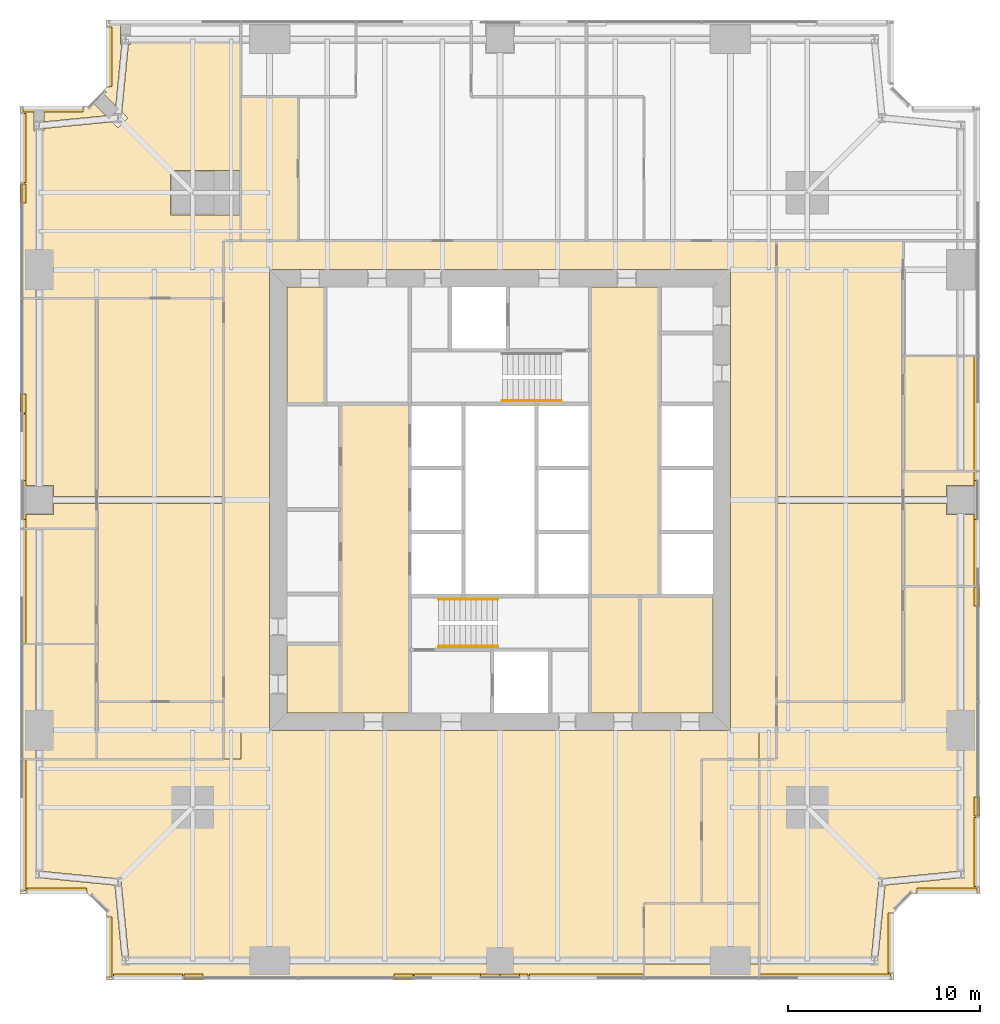
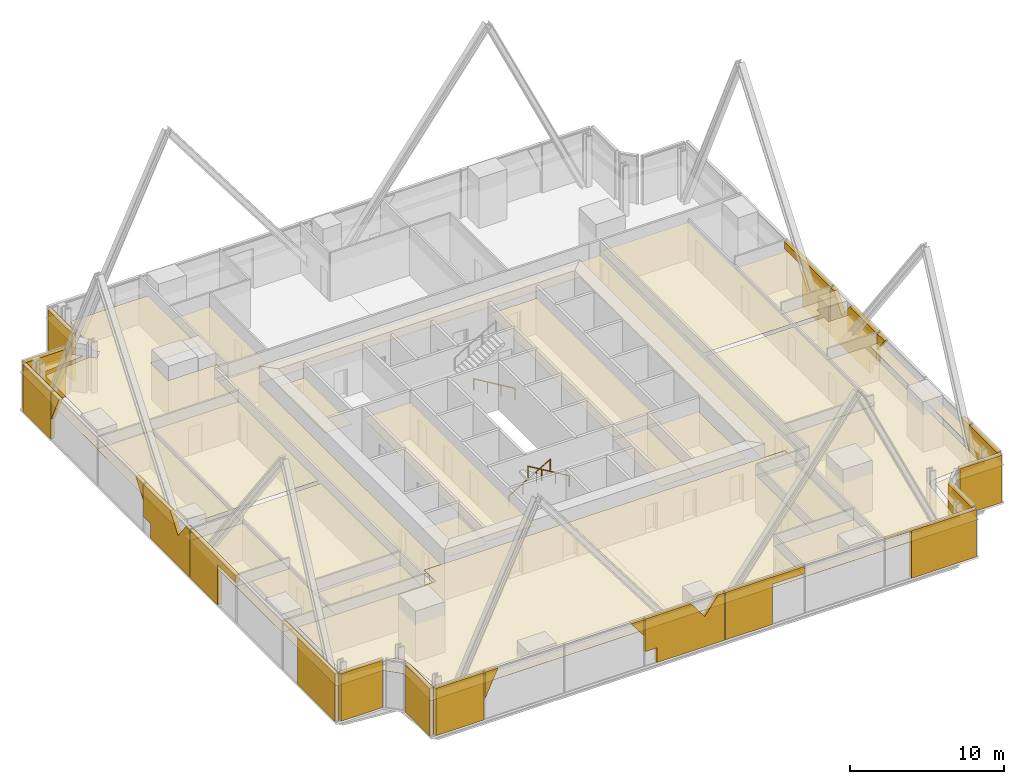
# One storey, part 12 of 13: 55 coverings, 3 railings.
"""IFC4 building model written with IfcOpenShell, lengths in metres."""

from ifc_helpers import new_model, si_unit, direction, frame, origin, origin_2d, place, context, subcontext, project, spatial, polyline, circle, outline, extrude, material, layer, layer_set, type_object, element, save


model = new_model("IFC4")

# Units and contexts
model_context = context("Model", 3, precision=1e-05, world=origin(), true_north=direction((0.0, 1.0)))
body_context = subcontext(model_context, "Body", "Model", "MODEL_VIEW")
ifc_project = project(units=[si_unit("LENGTHUNIT", "METRE"), si_unit("AREAUNIT", "SQUARE_METRE"), si_unit("VOLUMEUNIT", "CUBIC_METRE"), si_unit("PLANEANGLEUNIT", "RADIAN"), si_unit("MASSUNIT", "GRAM", prefix="KILO")], contexts=[model_context])

# Site, building, storey
site_placement = place(None, origin())
site = spatial("IfcSite", under=ifc_project, at=site_placement, CompositionType="ELEMENT")
building_placement = place(site_placement, origin())
building = spatial("IfcBuilding", under=site, at=building_placement, Name="Fenwick Lantern Interchange", CompositionType="ELEMENT")
storey_placement = place(building_placement, frame((0.0, 0.0, 114.39990234375)))
storey = spatial("IfcBuildingStorey", under=building, at=storey_placement, Name="L26", CompositionType="ELEMENT", Elevation=114.39990234375)

# Coverings
ifc_material_1 = material(Name="Mineral fibre acoustic tile on suspended grid")
ifc_layer_1 = layer(ifc_material_1, 0.02001953125)
ifc_layer_set_1 = layer_set([ifc_layer_1], Name="ACOUSTIC TILE CEILING 20")
covering_type_1 = type_object("IfcCoveringType", Name="ACOUSTIC TILE CEILING 20", PredefinedType="CEILING", material=ifc_layer_set_1)
covering_1_placement = place(storey_placement, frame((0.0, 0.0, 2.900146484375)))
element("IfcCovering", 1, at=covering_1_placement, inside=storey, type_object=covering_type_1, Name="Open office ceiling", PredefinedType="CEILING", context=body_context, shape_type="SweptSolid", body=[
    extrude(outline(polyline([(11.5, 11.5), (1.17236328125, 11.5), (1.17236328125, 5.656494140625), (5.11669921875, 5.271484375), (5.10009765625, 5.10009765625), (5.271484375, 5.11669921875), (5.656494140625, 1.17236328125), (13.0, 1.17236328125), (25.0, 1.17236328125), (32.5, 1.17236328125), (32.5, 4.0), (35.5, 4.0), (35.5, 11.5), (38.5, 11.5), (38.5, 13.0), (11.5, 13.0), (11.5, 11.5)])), origin(), (0.0, 0.0, 1.0), 0.02001953125),
])
covering_2_placement = place(storey_placement, frame((0.0, 0.0, 2.900146484375)))
element("IfcCovering", 2, at=covering_2_placement, inside=storey, type_object=covering_type_1, Name="Open office ceiling", PredefinedType="CEILING", context=body_context, shape_type="SweptSolid", body=[
    extrude(outline(polyline([(4.5, 3.5), (4.5, 0.0), (32.5, 0.0), (32.5, 0.82763671875), (25.0, 0.82763671875), (13.0, 0.82763671875), (5.5, 0.82763671875), (5.5, 1.0), (5.328369140625, 0.983154296875), (4.942138671875, 4.942138671875), (0.983154296875, 5.328369140625), (1.0, 5.5), (0.82763671875, 5.5), (0.82763671875, 11.5), (0.0, 11.5), (0.0, 4.5), (3.5, 4.5), (4.5, 3.5)])), origin(), (0.0, 0.0, 1.0), 0.02001953125),
])
covering_3_placement = place(storey_placement, frame((0.0, 0.0, 2.900146484375)))
element("IfcCovering", 3, at=covering_3_placement, inside=storey, type_object=covering_type_1, Name="Meeting room ceiling", PredefinedType="CEILING", context=body_context, shape_type="SweptSolid", body=[
    extrude(outline(polyline([(32.5, 4.0), (32.5, 1.17236328125), (37.0, 1.17236328125), (38.5, 1.17236328125), (38.5, 4.0), (32.5, 4.0)])), origin(), (0.0, 0.0, 1.0), 0.02001953125),
])
covering_4_placement = place(storey_placement, frame((0.0, 0.0, 2.900146484375)))
element("IfcCovering", 4, at=covering_4_placement, inside=storey, type_object=covering_type_1, Name="Meeting room ceiling", PredefinedType="CEILING", context=body_context, shape_type="SweptSolid", body=[
    extrude(outline(polyline([(38.5, 0.0), (38.5, 0.82763671875), (37.0, 0.82763671875), (32.5, 0.82763671875), (32.5, 0.0), (38.5, 0.0)])), origin(), (0.0, 0.0, 1.0), 0.02001953125),
])
covering_5_placement = place(storey_placement, frame((0.0, 0.0, 2.900146484375)))
element("IfcCovering", 5, at=covering_5_placement, inside=storey, type_object=covering_type_1, Name="Office suite ceiling", PredefinedType="CEILING", context=body_context, shape_type="SweptSolid", body=[
    extrude(outline(polyline([(39.39990234375, 38.5), (39.39990234375, 25.175048828125), (46.0, 25.175048828125), (46.0, 38.5), (39.39990234375, 38.5)])), origin(), (0.0, 0.0, 1.0), 0.02001953125),
])
covering_6_placement = place(storey_placement, frame((0.0, 0.0, 2.900146484375)))
element("IfcCovering", 6, at=covering_6_placement, inside=storey, type_object=covering_type_1, Name="Office suite ceiling", PredefinedType="CEILING", context=body_context, shape_type="SweptSolid", body=[
    extrude(outline(polyline([(39.39990234375, 24.824951171875), (39.39990234375, 14.5), (46.0, 14.5), (46.0, 24.824951171875), (39.39990234375, 24.824951171875)])), origin(), (0.0, 0.0, 1.0), 0.02001953125),
])
covering_7_placement = place(storey_placement, frame((0.0, 0.0, 2.900146484375)))
element("IfcCovering", 7, at=covering_7_placement, inside=storey, type_object=covering_type_1, Name="Meeting room ceiling", PredefinedType="CEILING", context=body_context, shape_type="SweptSolid", body=[
    extrude(outline(polyline([(48.82763671875, 20.5), (46.0, 20.5), (46.0, 14.5), (39.39990234375, 14.5), (39.39990234375, 11.5), (38.5, 11.5), (38.5, 1.17236328125), (44.343505859375, 1.17236328125), (44.728515625, 5.11669921875), (44.89990234375, 5.10009765625), (44.88330078125, 5.271484375), (48.82763671875, 5.656494140625), (48.82763671875, 13.0), (48.82763671875, 20.5)])), origin(), (0.0, 0.0, 1.0), 0.02001953125),
])
covering_8_placement = place(storey_placement, frame((0.0, 0.0, 2.900146484375)))
element("IfcCovering", 8, at=covering_8_placement, inside=storey, type_object=covering_type_1, Name="Meeting room ceiling", PredefinedType="CEILING", context=body_context, shape_type="SweptSolid", body=[
    extrude(outline(polyline([(50.0, 20.5), (49.17236328125, 20.5), (49.17236328125, 13.0), (49.17236328125, 5.5), (49.0, 5.5), (49.016845703125, 5.328369140625), (45.057861328125, 4.942138671875), (44.671630859375, 0.983154296875), (44.5, 1.0), (44.5, 0.82763671875), (38.5, 0.82763671875), (38.5, 0.0), (45.5, 0.0), (45.5, 3.5), (46.5, 4.5), (50.0, 4.5), (50.0, 20.5)])), origin(), (0.0, 0.0, 1.0), 0.02001953125),
])
covering_9_placement = place(storey_placement, frame((0.0, 0.0, 2.8681640625)))
element("IfcCovering", 9, at=covering_9_placement, inside=storey, type_object=covering_type_1, Name="Meeting room ceiling", PredefinedType="CEILING", context=body_context, shape_type="SweptSolid", body=[
    extrude(outline(polyline([(46.0, 20.5), (50.0, 20.5), (50.0, 24.25), (48.25, 24.25), (48.25, 24.824951171875), (46.0, 24.824951171875), (46.0, 20.5)])), origin(), (0.0, 0.0, 1.0), 0.02001953125),
])
covering_10_placement = place(storey_placement, frame((0.0, 0.0, 2.8681640625)))
element("IfcCovering", 10, at=covering_10_placement, inside=storey, type_object=covering_type_1, Name="Meeting room ceiling", PredefinedType="CEILING", context=body_context, shape_type="SweptSolid", body=[
    extrude(outline(polyline([(46.0, 26.5), (46.0, 25.175048828125), (48.25, 25.175048828125), (48.25, 25.75), (50.0, 25.75), (50.0, 26.5), (46.0, 26.5)])), origin(), (0.0, 0.0, 1.0), 0.02001953125),
])
covering_11_placement = place(storey_placement, frame((0.0, 0.0, 2.8681640625)))
element("IfcCovering", 11, at=covering_11_placement, inside=storey, type_object=covering_type_1, Name="Meeting room ceiling", PredefinedType="CEILING", context=body_context, shape_type="SweptSolid", body=[
    extrude(outline(polyline([(50.0, 26.5), (50.0, 32.5), (46.0, 32.5), (46.0, 26.5), (50.0, 26.5)])), origin(), (0.0, 0.0, 1.0), 0.02001953125),
])
covering_12_placement = place(storey_placement, frame((0.0, 0.0, 2.900146484375)))
element("IfcCovering", 12, at=covering_12_placement, inside=storey, type_object=covering_type_1, Name="Office suite ceiling", PredefinedType="CEILING", context=body_context, shape_type="SweptSolid", body=[
    extrude(outline(polyline([(10.60009765625, 14.5), (10.60009765625, 24.824951171875), (4.0, 24.824951171875), (4.0, 14.5), (10.60009765625, 14.5)])), origin(), (0.0, 0.0, 1.0), 0.02001953125),
])
covering_13_placement = place(storey_placement, frame((0.0, 0.0, 2.900146484375)))
element("IfcCovering", 13, at=covering_13_placement, inside=storey, type_object=covering_type_1, Name="Office suite ceiling", PredefinedType="CEILING", context=body_context, shape_type="SweptSolid", body=[
    extrude(outline(polyline([(10.60009765625, 25.175048828125), (10.60009765625, 35.5), (4.0, 35.5), (4.0, 25.175048828125), (10.60009765625, 25.175048828125)])), origin(), (0.0, 0.0, 1.0), 0.02001953125),
])
covering_14_placement = place(storey_placement, frame((0.0, 0.0, 2.900146484375)))
element("IfcCovering", 14, at=covering_14_placement, inside=storey, type_object=covering_type_1, Name="Office study ceiling", PredefinedType="CEILING", context=body_context, shape_type="SweptSolid", body=[
    extrude(outline(polyline([(5.76220703125, 48.71240234375), (5.645263671875, 48.71240234375), (5.303955078125, 45.21630859375), (5.620361328125, 44.89990234375), (5.10009765625, 44.379638671875), (4.78369140625, 44.696044921875), (1.26220703125, 44.352294921875), (1.26220703125, 44.21240234375), (1.17236328125, 44.21240234375), (1.17236328125, 37.0), (1.17236328125, 35.5), (10.60009765625, 35.5), (10.60009765625, 38.5), (11.5, 38.5), (11.5, 39.85009765625), (7.85009765625, 39.85009765625), (7.85009765625, 42.14990234375), (11.5, 42.14990234375), (11.5, 48.82763671875), (5.76220703125, 48.82763671875), (5.76220703125, 48.71240234375)])), origin(), (0.0, 0.0, 1.0), 0.02001953125),
])
covering_15_placement = place(storey_placement, frame((0.0, 0.0, 2.900146484375)))
element("IfcCovering", 15, at=covering_15_placement, inside=storey, type_object=covering_type_1, Name="Office study ceiling", PredefinedType="CEILING", context=body_context, shape_type="SweptSolid", body=[
    extrude(outline(polyline([(0.0, 35.5), (0.82763671875, 35.5), (0.82763671875, 37.0), (0.82763671875, 44.21240234375), (0.73779296875, 44.21240234375), (0.73779296875, 45.5), (0.0, 45.5), (0.0, 35.5)])), origin(), (0.0, 0.0, 1.0), 0.02001953125),
])
covering_16_placement = place(storey_placement, frame((0.0, 0.0, 2.900146484375)))
element("IfcCovering", 16, at=covering_16_placement, inside=storey, type_object=covering_type_1, Name="Office study ceiling", PredefinedType="CEILING", context=body_context, shape_type="SweptSolid", body=[
    extrude(outline(polyline([(5.298828125, 48.71240234375), (5.23779296875, 48.71240234375), (5.23779296875, 50.0), (4.5, 50.0), (4.5, 46.5), (4.26025390625, 46.26025390625), (4.988525390625, 45.531982421875), (5.298828125, 48.71240234375)])), origin(), (0.0, 0.0, 1.0), 0.02001953125),
])
covering_17_placement = place(storey_placement, frame((0.0, 0.0, 2.900146484375)))
element("IfcCovering", 17, at=covering_17_placement, inside=storey, type_object=covering_type_1, Name="Office study ceiling", PredefinedType="CEILING", context=body_context, shape_type="SweptSolid", body=[
    extrude(outline(polyline([(1.26220703125, 45.5), (1.26220703125, 44.69873046875), (4.468017578125, 45.011474609375), (3.73974609375, 45.73974609375), (3.5, 45.5), (1.26220703125, 45.5)])), origin(), (0.0, 0.0, 1.0), 0.02001953125),
])
covering_18_placement = place(storey_placement, frame((0.0, 0.0, 2.8681640625)))
element("IfcCovering", 18, at=covering_18_placement, inside=storey, type_object=covering_type_1, Name="Meeting room ceiling", PredefinedType="CEILING", context=body_context, shape_type="SweptSolid", body=[
    extrude(outline(polyline([(4.0, 25.175048828125), (4.0, 35.5), (0.0, 35.5), (0.0, 25.75), (1.75, 25.75), (1.75, 25.175048828125), (4.0, 25.175048828125)])), origin(), (0.0, 0.0, 1.0), 0.02001953125),
])
covering_19_placement = place(storey_placement, frame((0.0, 0.0, 2.8681640625)))
element("IfcCovering", 19, at=covering_19_placement, inside=storey, type_object=covering_type_1, Name="Meeting room ceiling", PredefinedType="CEILING", context=body_context, shape_type="SweptSolid", body=[
    extrude(outline(polyline([(4.0, 23.5), (4.0, 24.824951171875), (1.75, 24.824951171875), (1.75, 24.25), (0.0, 24.25), (0.0, 23.5), (4.0, 23.5)])), origin(), (0.0, 0.0, 1.0), 0.02001953125),
])
covering_20_placement = place(storey_placement, frame((0.0, 0.0, 2.8681640625)))
element("IfcCovering", 20, at=covering_20_placement, inside=storey, type_object=covering_type_1, Name="Office ceiling", PredefinedType="CEILING", context=body_context, shape_type="SweptSolid", body=[
    extrude(outline(polyline([(0.0, 23.5), (0.0, 17.5), (4.0, 17.5), (4.0, 23.5), (0.0, 23.5)])), origin(), (0.0, 0.0, 1.0), 0.02001953125),
])
covering_21_placement = place(storey_placement, frame((0.0, 0.0, 2.900146484375)))
element("IfcCovering", 21, at=covering_21_placement, inside=storey, type_object=covering_type_1, Name="Office ceiling", PredefinedType="CEILING", context=body_context, shape_type="SweptSolid", body=[
    extrude(outline(polyline([(4.0, 17.5), (1.17236328125, 17.5), (1.17236328125, 13.0), (1.17236328125, 11.5), (4.0, 11.5), (4.0, 17.5)])), origin(), (0.0, 0.0, 1.0), 0.02001953125),
])
covering_22_placement = place(storey_placement, frame((0.0, 0.0, 2.900146484375)))
element("IfcCovering", 22, at=covering_22_placement, inside=storey, type_object=covering_type_1, Name="Office ceiling", PredefinedType="CEILING", context=body_context, shape_type="SweptSolid", body=[
    extrude(outline(polyline([(0.0, 11.5), (0.82763671875, 11.5), (0.82763671875, 13.0), (0.82763671875, 17.5), (0.0, 17.5), (0.0, 11.5)])), origin(), (0.0, 0.0, 1.0), 0.02001953125),
])
covering_23_placement = place(storey_placement, frame((0.0, 0.0, 2.7001953125)))
element("IfcCovering", 23, at=covering_23_placement, inside=storey, type_object=covering_type_1, Name="Print and copy room ceiling", PredefinedType="CEILING", context=body_context, shape_type="SweptSolid", body=[
    extrude(outline(polyline([(4.0, 14.5), (4.0, 11.5), (10.60009765625, 11.5), (10.60009765625, 14.5), (4.0, 14.5)])), origin(), (0.0, 0.0, 1.0), 0.02001953125),
])
ifc_material_2 = material(Name="Granite cladding, warm grey flamed finish, on aluminium carrier frame", Category="masonry")
ifc_layer_2 = layer(ifc_material_2, 0.300048828125)
ifc_layer_set_2 = layer_set([ifc_layer_2], Name="BRACE CASING PANEL 300")
covering_type_2 = type_object("IfcCoveringType", Name="BRACE CASING PANEL 300", PredefinedType="CLADDING", material=ifc_layer_set_2)
covering_24_placement = place(storey_placement, frame((4.60009765625, 0.10009765625, 0.0), z_axis=(0.0, 0.0, 1.0), x_axis=(1.0, 0.0, 0.0)))
element("IfcCovering", 24, at=covering_24_placement, inside=storey, type_object=covering_type_2, Name="Brace casing 01 bay 00a", PredefinedType="CLADDING", context=body_context, shape_type="SweptSolid", body=[
    extrude(outline(polyline([(0.264892578125, 0.0), (3.867431640625, 0.0), (3.867431640625, 3.75), (0.264892578125, 3.75), (0.264892578125, 0.0)])), frame((0.0, 0.2001953125, 0.0), z_axis=(0.0, -1.0, 0.0), x_axis=(1.0, 0.0, 0.0)), (0.0, 0.0, 1.0), 0.300048828125),
])
covering_25_placement = place(storey_placement, frame((4.60009765625, 0.10009765625, 1.62255859375), z_axis=(0.0, 0.0, 1.0), x_axis=(1.0, 0.0, 0.0)))
element("IfcCovering", 25, at=covering_25_placement, inside=storey, type_object=covering_type_2, Name="Brace casing 01 bay 01a", PredefinedType="CLADDING", context=body_context, shape_type="SweptSolid", body=[
    extrude(outline(polyline([(3.9326171875, 0.0), (4.9296875, 2.12744140625), (3.9326171875, 2.12744140625), (3.9326171875, 0.0)])), frame((0.0, 0.2001953125, 0.0), z_axis=(0.0, -1.0, 0.0), x_axis=(1.0, 0.0, 0.0)), (0.0, 0.0, 1.0), 0.300048828125),
])
covering_26_placement = place(storey_placement, frame((4.60009765625, 0.10009765625, 2.4375), z_axis=(0.0, 0.0, 1.0), x_axis=(1.0, 0.0, 0.0)))
element("IfcCovering", 26, at=covering_26_placement, inside=storey, type_object=covering_type_2, Name="Brace casing 01 bay 02a", PredefinedType="CLADDING", context=body_context, shape_type="SweptSolid", body=[
    extrude(outline(polyline([(15.867431640625, 0.0), (15.867431640625, 1.3125), (14.883056640625, 1.3125), (15.867431640625, 0.0)])), frame((0.0, 0.2001953125, 0.0), z_axis=(0.0, -1.0, 0.0), x_axis=(1.0, 0.0, 0.0)), (0.0, 0.0, 1.0), 0.300048828125),
])
covering_27_placement = place(storey_placement, frame((4.60009765625, 0.10009765625, 0.0), z_axis=(0.0, 0.0, 1.0), x_axis=(1.0, 0.0, 0.0)))
element("IfcCovering", 27, at=covering_27_placement, inside=storey, type_object=covering_type_2, Name="Brace casing 01 bay 03a", PredefinedType="CLADDING", context=body_context, shape_type="SweptSolid", body=[
    extrude(outline(polyline([(16.8125, 0.0), (21.867431640625, 0.0), (21.867431640625, 3.75), (21.4169921875, 3.75), (20.39990234375, 2.39404296875), (19.383056640625, 3.75), (15.9326171875, 3.75), (15.9326171875, 1.177490234375), (16.8125, 1.177490234375), (16.8125, 0.0)])), frame((0.0, 0.2001953125, 0.0), z_axis=(0.0, -1.0, 0.0), x_axis=(1.0, 0.0, 0.0)), (0.0, 0.0, 1.0), 0.300048828125),
])
covering_28_placement = place(storey_placement, frame((4.60009765625, 0.10009765625, 0.0), z_axis=(0.0, 0.0, 1.0), x_axis=(1.0, 0.0, 0.0)))
element("IfcCovering", 28, at=covering_28_placement, inside=storey, type_object=covering_type_2, Name="Brace casing 01 bay 04a", PredefinedType="CLADDING", context=body_context, shape_type="SweptSolid", body=[
    extrude(outline(polyline([(21.9326171875, 0.0), (25.484375, 0.0), (25.484375, 3.17333984375), (27.867431640625, 3.17333984375), (27.867431640625, 3.75), (21.9326171875, 3.75), (21.9326171875, 0.0)])), frame((0.0, 0.2001953125, 0.0), z_axis=(0.0, -1.0, 0.0), x_axis=(1.0, 0.0, 0.0)), (0.0, 0.0, 1.0), 0.300048828125),
])
covering_29_placement = place(storey_placement, frame((4.60009765625, 0.10009765625, 0.0), z_axis=(0.0, 0.0, 1.0), x_axis=(1.0, 0.0, 0.0)))
element("IfcCovering", 29, at=covering_29_placement, inside=storey, type_object=covering_type_2, Name="Brace casing 01 bay 06a", PredefinedType="CLADDING", context=body_context, shape_type="SweptSolid", body=[
    extrude(outline(polyline([(35.87255859375, 0.0), (40.735107421875, 0.0), (40.735107421875, 3.75), (33.9326171875, 3.75), (33.9326171875, 3.7451171875), (35.87255859375, 3.7451171875), (35.87255859375, 0.0)])), frame((0.0, 0.2001953125, 0.0), z_axis=(0.0, -1.0, 0.0), x_axis=(1.0, 0.0, 0.0)), (0.0, 0.0, 1.0), 0.300048828125),
])
for number, where, z_axis, x_axis, name in (
    (30, (45.39990234375, 0.10009765625, 0.0), (0.0, 0.0, 1.0), (0.0, 1.0, 0.0), "Brace casing 02 bay 00a"),
    (31, (46.45849609375, 4.60009765625, 0.0), (0.0, 0.0, 1.0), (1.0, 0.0, 0.0), "Brace casing 04 bay 00a"),
):
    element("IfcCovering", number, at=place(storey_placement, frame(where, z_axis=z_axis, x_axis=x_axis)), inside=storey, type_object=covering_type_2, Name=name, PredefinedType="CLADDING", context=body_context, shape_type="SweptSolid", body=[
        extrude(outline(polyline([(0.264892578125, 0.0), (3.37646484375, 0.0), (3.37646484375, 3.75), (0.264892578125, 3.75), (0.264892578125, 0.0)])), frame((0.0, 0.2001953125, 0.0), z_axis=(0.0, -1.0, 0.0), x_axis=(1.0, 0.0, 0.0)), (0.0, 0.0, 1.0), 0.300048828125),
    ])
covering_30_placement = place(storey_placement, frame((49.89990234375, 4.60009765625, 0.0), z_axis=(0.0, 0.0, 1.0), x_axis=(0.0, 1.0, 0.0)))
element("IfcCovering", 32, at=covering_30_placement, inside=storey, type_object=covering_type_2, Name="Brace casing 05 bay 00a", PredefinedType="CLADDING", context=body_context, shape_type="SweptSolid", body=[
    extrude(outline(polyline([(0.264892578125, 0.0), (3.867431640625, 0.0), (3.867431640625, 3.75), (0.264892578125, 3.75), (0.264892578125, 0.0)])), frame((0.0, 0.2001953125, 0.0), z_axis=(0.0, -1.0, 0.0), x_axis=(1.0, 0.0, 0.0)), (0.0, 0.0, 1.0), 0.300048828125),
])
covering_31_placement = place(storey_placement, frame((49.89990234375, 4.60009765625, 1.62255859375), z_axis=(0.0, 0.0, 1.0), x_axis=(0.0, 1.0, 0.0)))
element("IfcCovering", 33, at=covering_31_placement, inside=storey, type_object=covering_type_2, Name="Brace casing 05 bay 01a", PredefinedType="CLADDING", context=body_context, shape_type="SweptSolid", body=[
    extrude(outline(polyline([(3.9326171875, 0.0), (4.9296875, 2.12744140625), (3.9326171875, 2.12744140625), (3.9326171875, 0.0)])), frame((0.0, 0.2001953125, 0.0), z_axis=(0.0, -1.0, 0.0), x_axis=(1.0, 0.0, 0.0)), (0.0, 0.0, 1.0), 0.300048828125),
])
covering_32_placement = place(storey_placement, frame((49.89990234375, 4.60009765625, 2.4375), z_axis=(0.0, 0.0, 1.0), x_axis=(0.0, 1.0, 0.0)))
element("IfcCovering", 34, at=covering_32_placement, inside=storey, type_object=covering_type_2, Name="Brace casing 05 bay 02a", PredefinedType="CLADDING", context=body_context, shape_type="SweptSolid", body=[
    extrude(outline(polyline([(15.867431640625, 0.0), (15.867431640625, 1.3125), (14.883056640625, 1.3125), (15.867431640625, 0.0)])), frame((0.0, 0.2001953125, 0.0), z_axis=(0.0, -1.0, 0.0), x_axis=(1.0, 0.0, 0.0)), (0.0, 0.0, 1.0), 0.300048828125),
])
covering_33_placement = place(storey_placement, frame((49.89990234375, 4.60009765625, 0.0), z_axis=(0.0, 0.0, 1.0), x_axis=(0.0, 1.0, 0.0)))
element("IfcCovering", 35, at=covering_33_placement, inside=storey, type_object=covering_type_2, Name="Brace casing 05 bay 03a", PredefinedType="CLADDING", context=body_context, shape_type="SweptSolid", body=[
    extrude(outline(polyline([(16.8125, 0.0), (21.867431640625, 0.0), (21.867431640625, 3.75), (21.4169921875, 3.75), (20.39990234375, 2.39404296875), (19.383056640625, 3.75), (15.9326171875, 3.75), (15.9326171875, 1.177490234375), (16.8125, 1.177490234375), (16.8125, 0.0)])), frame((0.0, 0.2001953125, 0.0), z_axis=(0.0, -1.0, 0.0), x_axis=(1.0, 0.0, 0.0)), (0.0, 0.0, 1.0), 0.300048828125),
])
covering_34_placement = place(storey_placement, frame((49.89990234375, 4.60009765625, 0.0), z_axis=(0.0, 0.0, 1.0), x_axis=(0.0, 1.0, 0.0)))
element("IfcCovering", 36, at=covering_34_placement, inside=storey, type_object=covering_type_2, Name="Brace casing 05 bay 04a", PredefinedType="CLADDING", context=body_context, shape_type="SweptSolid", body=[
    extrude(outline(polyline([(21.9326171875, 0.0), (25.484375, 0.0), (25.484375, 3.17333984375), (27.867431640625, 3.17333984375), (27.867431640625, 3.75), (21.9326171875, 3.75), (21.9326171875, 0.0)])), frame((0.0, 0.2001953125, 0.0), z_axis=(0.0, -1.0, 0.0), x_axis=(1.0, 0.0, 0.0)), (0.0, 0.0, 1.0), 0.300048828125),
])
for number, where, z_axis, x_axis, name in (
    (37, (4.60009765625, 49.89990234375, 0.0), (0.0, 0.0, 1.0), (0.0, -1.0, 0.0), "Brace casing 10 bay 00a"),
    (38, (3.54150390625, 45.39990234375, 0.0), (0.0, 0.0, 1.0), (-1.0, 0.0, 0.0), "Brace casing 12 bay 00a"),
):
    element("IfcCovering", number, at=place(storey_placement, frame(where, z_axis=z_axis, x_axis=x_axis)), inside=storey, type_object=covering_type_2, Name=name, PredefinedType="CLADDING", context=body_context, shape_type="SweptSolid", body=[
        extrude(outline(polyline([(0.264892578125, 0.0), (3.37646484375, 0.0), (3.37646484375, 3.75), (0.264892578125, 3.75), (0.264892578125, 0.0)])), frame((0.0, 0.2001953125, 0.0), z_axis=(0.0, -1.0, 0.0), x_axis=(1.0, 0.0, 0.0)), (0.0, 0.0, 1.0), 0.300048828125),
    ])
covering_35_placement = place(storey_placement, frame((0.10009765625, 45.39990234375, 0.0), z_axis=(0.0, 0.0, 1.0), x_axis=(0.0, -1.0, 0.0)))
element("IfcCovering", 39, at=covering_35_placement, inside=storey, type_object=covering_type_2, Name="Brace casing 13 bay 00a", PredefinedType="CLADDING", context=body_context, shape_type="SweptSolid", body=[
    extrude(outline(polyline([(0.264892578125, 0.0), (3.867431640625, 0.0), (3.867431640625, 3.75), (0.264892578125, 3.75), (0.264892578125, 0.0)])), frame((0.0, 0.2001953125, 0.0), z_axis=(0.0, -1.0, 0.0), x_axis=(1.0, 0.0, 0.0)), (0.0, 0.0, 1.0), 0.300048828125),
])
covering_36_placement = place(storey_placement, frame((0.10009765625, 45.39990234375, 1.62255859375), z_axis=(0.0, 0.0, 1.0), x_axis=(0.0, -1.0, 0.0)))
element("IfcCovering", 40, at=covering_36_placement, inside=storey, type_object=covering_type_2, Name="Brace casing 13 bay 01a", PredefinedType="CLADDING", context=body_context, shape_type="SweptSolid", body=[
    extrude(outline(polyline([(3.9326171875, 0.0), (4.9296875, 2.12744140625), (3.9326171875, 2.12744140625), (3.9326171875, 0.0)])), frame((0.0, 0.2001953125, 0.0), z_axis=(0.0, -1.0, 0.0), x_axis=(1.0, 0.0, 0.0)), (0.0, 0.0, 1.0), 0.300048828125),
])
covering_37_placement = place(storey_placement, frame((0.10009765625, 45.39990234375, 2.4375), z_axis=(0.0, 0.0, 1.0), x_axis=(0.0, -1.0, 0.0)))
element("IfcCovering", 41, at=covering_37_placement, inside=storey, type_object=covering_type_2, Name="Brace casing 13 bay 02a", PredefinedType="CLADDING", context=body_context, shape_type="SweptSolid", body=[
    extrude(outline(polyline([(15.867431640625, 0.0), (15.867431640625, 1.3125), (14.883056640625, 1.3125), (15.867431640625, 0.0)])), frame((0.0, 0.2001953125, 0.0), z_axis=(0.0, -1.0, 0.0), x_axis=(1.0, 0.0, 0.0)), (0.0, 0.0, 1.0), 0.300048828125),
])
covering_38_placement = place(storey_placement, frame((0.10009765625, 45.39990234375, 0.0), z_axis=(0.0, 0.0, 1.0), x_axis=(0.0, -1.0, 0.0)))
element("IfcCovering", 42, at=covering_38_placement, inside=storey, type_object=covering_type_2, Name="Brace casing 13 bay 03a", PredefinedType="CLADDING", context=body_context, shape_type="SweptSolid", body=[
    extrude(outline(polyline([(16.8125, 0.0), (21.867431640625, 0.0), (21.867431640625, 3.75), (21.4169921875, 3.75), (20.39990234375, 2.39404296875), (19.383056640625, 3.75), (15.9326171875, 3.75), (15.9326171875, 1.177490234375), (16.8125, 1.177490234375), (16.8125, 0.0)])), frame((0.0, 0.2001953125, 0.0), z_axis=(0.0, -1.0, 0.0), x_axis=(1.0, 0.0, 0.0)), (0.0, 0.0, 1.0), 0.300048828125),
])
covering_39_placement = place(storey_placement, frame((0.10009765625, 45.39990234375, 0.0), z_axis=(0.0, 0.0, 1.0), x_axis=(0.0, -1.0, 0.0)))
element("IfcCovering", 43, at=covering_39_placement, inside=storey, type_object=covering_type_2, Name="Brace casing 13 bay 04a", PredefinedType="CLADDING", context=body_context, shape_type="SweptSolid", body=[
    extrude(outline(polyline([(21.9326171875, 0.0), (25.484375, 0.0), (25.484375, 3.17333984375), (27.867431640625, 3.17333984375), (27.867431640625, 3.75), (21.9326171875, 3.75), (21.9326171875, 0.0)])), frame((0.0, 0.2001953125, 0.0), z_axis=(0.0, -1.0, 0.0), x_axis=(1.0, 0.0, 0.0)), (0.0, 0.0, 1.0), 0.300048828125),
])
covering_40_placement = place(storey_placement, frame((0.10009765625, 45.39990234375, 0.0), z_axis=(0.0, 0.0, 1.0), x_axis=(0.0, -1.0, 0.0)))
element("IfcCovering", 44, at=covering_40_placement, inside=storey, type_object=covering_type_2, Name="Brace casing 13 bay 06a", PredefinedType="CLADDING", context=body_context, shape_type="SweptSolid", body=[
    extrude(outline(polyline([(35.87255859375, 0.0), (40.735107421875, 0.0), (40.735107421875, 3.75), (33.9326171875, 3.75), (33.9326171875, 3.7451171875), (35.87255859375, 3.7451171875), (35.87255859375, 0.0)])), frame((0.0, 0.2001953125, 0.0), z_axis=(0.0, -1.0, 0.0), x_axis=(1.0, 0.0, 0.0)), (0.0, 0.0, 1.0), 0.300048828125),
])
for number, where, z_axis, x_axis, name in (
    (45, (0.10009765625, 4.60009765625, 0.0), (0.0, 0.0, 1.0), (1.0, 0.0, 0.0), "Brace casing 14 bay 00a"),
    (46, (4.60009765625, 3.54150390625, 0.0), (0.0, 0.0, 1.0), (0.0, -1.0, 0.0), "Brace casing 16 bay 00a"),
):
    element("IfcCovering", number, at=place(storey_placement, frame(where, z_axis=z_axis, x_axis=x_axis)), inside=storey, type_object=covering_type_2, Name=name, PredefinedType="CLADDING", context=body_context, shape_type="SweptSolid", body=[
        extrude(outline(polyline([(0.264892578125, 0.0), (3.37646484375, 0.0), (3.37646484375, 3.75), (0.264892578125, 3.75), (0.264892578125, 0.0)])), frame((0.0, 0.2001953125, 0.0), z_axis=(0.0, -1.0, 0.0), x_axis=(1.0, 0.0, 0.0)), (0.0, 0.0, 1.0), 0.300048828125),
    ])

# Railings
ifc_material_3 = material(Name="Stainless steel handrail", Category="steel")
railing_type = type_object("IfcRailingType", Name="HANDRAIL 900", PredefinedType="HANDRAIL", material=ifc_material_3)
railing_placement = place(storey_placement, frame((21.800048828125, 19.825927734375, 0.166748046875)))
element("IfcRailing", 47, at=railing_placement, inside=storey, type_object=railing_type, Name="L26/STAIR/ST1/HR1", PredefinedType="HANDRAIL", context=body_context, shape_type="SweptSolid", body=[
    extrude(circle(Radius=0.02392578125, at=origin_2d()), frame((0.0, 0.0, 0.8759765625), z_axis=(0.859290745958, 0.0, 0.51148745235), x_axis=(0.0, 1.0, 0.0)), (0.0, 0.0, 1.0), 3.584228515625),
    extrude(circle(Radius=0.02099609375, at=origin_2d()), origin(), (0.0, 0.0, 1.0), 0.851806640625),
    extrude(circle(Radius=0.02099609375, at=origin_2d()), frame((1.026611328125, 0.0, 0.611083984375)), (0.0, 0.0, 1.0), 0.851806640625),
    extrude(circle(Radius=0.02099609375, at=origin_2d()), frame((2.05322265625, 0.0, 1.22216796875)), (0.0, 0.0, 1.0), 0.851806640625),
    extrude(circle(Radius=0.02099609375, at=origin_2d()), frame((3.079833984375, 0.0, 1.833251953125)), (0.0, 0.0, 1.0), 0.851806640625),
])
for number, where, name in (
    (48, (24.8798828125, 17.3740234375, 2.166748046875), "L26/STAIR/ST1/HR2"),
    (49, (28.199951171875, 30.174072265625, 0.166748046875), "L26/STAIR/ST2/HR1"),
):
    element("IfcRailing", number, at=place(storey_placement, frame(where)), inside=storey, type_object=railing_type, Name=name, PredefinedType="HANDRAIL", context=body_context, shape_type="SweptSolid", body=[
        extrude(circle(Radius=0.02392578125, at=origin_2d()), frame((0.0, 0.0, 0.8759765625), z_axis=(-0.859290745958, 0.0, 0.51148745235), x_axis=(0.0, -1.0, 0.0)), (0.0, 0.0, 1.0), 3.584228515625),
        extrude(circle(Radius=0.02099609375, at=origin_2d()), origin(), (0.0, 0.0, 1.0), 0.851806640625),
        extrude(circle(Radius=0.02099609375, at=origin_2d()), frame((-1.026611328125, 0.0, 0.611083984375)), (0.0, 0.0, 1.0), 0.851806640625),
        extrude(circle(Radius=0.02099609375, at=origin_2d()), frame((-2.05322265625, 0.0, 1.22216796875)), (0.0, 0.0, 1.0), 0.851806640625),
        extrude(circle(Radius=0.02099609375, at=origin_2d()), frame((-3.079833984375, 0.0, 1.833251953125)), (0.0, 0.0, 1.0), 0.851806640625),
    ])

# Coverings
ifc_material_4 = material(Name="Moisture resistant gypsum board on suspended frame, painted")
ifc_layer_3 = layer(ifc_material_4, 0.014892578125)
ifc_layer_set_3 = layer_set([ifc_layer_3], Name="MOISTURE RESISTANT CEILING 15")
covering_type_3 = type_object("IfcCoveringType", Name="MOISTURE RESISTANT CEILING 15", PredefinedType="CEILING", material=ifc_layer_set_3)
covering_41_placement = place(storey_placement, frame((0.0, 0.0, 2.60009765625)))
element("IfcCovering", 50, at=covering_41_placement, inside=storey, type_object=covering_type_3, Name="Men's WC ceiling", PredefinedType="CEILING", context=body_context, shape_type="SweptSolid", body=[
    extrude(outline(polyline([(29.699951171875, 13.89990234375), (32.300048828125, 13.89990234375), (32.300048828125, 20.0), (29.699951171875, 20.0), (29.699951171875, 13.89990234375)])), origin(), (0.0, 0.0, 1.0), 0.014892578125),
])
covering_42_placement = place(storey_placement, frame((0.0, 0.0, 2.60009765625)))
element("IfcCovering", 51, at=covering_42_placement, inside=storey, type_object=covering_type_3, Name="Women's WC ceiling", PredefinedType="CEILING", context=body_context, shape_type="SweptSolid", body=[
    extrude(outline(polyline([(32.300048828125, 13.89990234375), (36.10009765625, 13.89990234375), (36.10009765625, 20.0), (32.300048828125, 20.0), (32.300048828125, 13.89990234375)])), origin(), (0.0, 0.0, 1.0), 0.014892578125),
])
covering_43_placement = place(storey_placement, frame((0.0, 0.0, 2.60009765625)))
element("IfcCovering", 52, at=covering_43_placement, inside=storey, type_object=covering_type_3, Name="Accessible WC and shower ceiling", PredefinedType="CEILING", context=body_context, shape_type="SweptSolid", body=[
    extrude(outline(polyline([(13.89990234375, 13.89990234375), (16.699951171875, 13.89990234375), (16.699951171875, 17.5), (13.89990234375, 17.5), (13.89990234375, 13.89990234375)])), origin(), (0.0, 0.0, 1.0), 0.014892578125),
])
covering_44_placement = place(storey_placement, frame((0.0, 0.0, 2.60009765625)))
element("IfcCovering", 53, at=covering_44_placement, inside=storey, type_object=covering_type_3, Name="Men's WC ceiling", PredefinedType="CEILING", context=body_context, shape_type="SweptSolid", body=[
    extrude(outline(polyline([(15.89990234375, 36.10009765625), (13.89990234375, 36.10009765625), (13.89990234375, 30.0), (15.89990234375, 30.0), (15.89990234375, 36.10009765625)])), origin(), (0.0, 0.0, 1.0), 0.014892578125),
])
covering_45_placement = place(storey_placement, frame((0.0, 0.0, 2.7001953125)))
element("IfcCovering", 54, at=covering_45_placement, inside=storey, type_object=covering_type_3, Name="Pantry ceiling", PredefinedType="CEILING", context=body_context, shape_type="SweptSolid", body=[
    extrude(outline(polyline([(35.5, 4.0), (38.5, 4.0), (38.5, 11.5), (35.5, 11.5), (35.5, 4.0)])), origin(), (0.0, 0.0, 1.0), 0.014892578125),
])
covering_46_placement = place(storey_placement, frame((0.0, 0.0, 2.7001953125)))
element("IfcCovering", 55, at=covering_46_placement, inside=storey, type_object=covering_type_3, Name="Pantry ceiling", PredefinedType="CEILING", context=body_context, shape_type="SweptSolid", body=[
    extrude(outline(polyline([(14.5, 46.0), (11.5, 46.0), (11.5, 38.5), (14.5, 38.5), (14.5, 46.0)])), origin(), (0.0, 0.0, 1.0), 0.014892578125),
])
ifc_material_5 = material(Name="Gypsum plasterboard on suspended frame, painted")
ifc_layer_4 = layer(ifc_material_5, 0.014892578125)
ifc_layer_set_4 = layer_set([ifc_layer_4], Name="PLASTERBOARD CEILING 15")
covering_type_4 = type_object("IfcCoveringType", Name="PLASTERBOARD CEILING 15", PredefinedType="CEILING", material=ifc_layer_set_4)
covering_47_placement = place(storey_placement, frame((0.0, 0.0, 2.800048828125)))
element("IfcCovering", 56, at=covering_47_placement, inside=storey, type_object=covering_type_4, Name="Lift lobby ceiling", PredefinedType="CEILING", context=body_context, shape_type="SweptSolid", body=[
    extrude(outline(polyline([(16.699951171875, 13.89990234375), (20.300048828125, 13.89990234375), (20.300048828125, 30.0), (16.699951171875, 30.0), (16.699951171875, 13.89990234375)])), origin(), (0.0, 0.0, 1.0), 0.01513671875),
])
covering_48_placement = place(storey_placement, frame((0.0, 0.0, 2.800048828125)))
element("IfcCovering", 57, at=covering_48_placement, inside=storey, type_object=covering_type_4, Name="Lift lobby ceiling", PredefinedType="CEILING", context=body_context, shape_type="SweptSolid", body=[
    extrude(outline(polyline([(33.300048828125, 36.10009765625), (29.699951171875, 36.10009765625), (29.699951171875, 20.0), (33.300048828125, 20.0), (33.300048828125, 36.10009765625)])), origin(), (0.0, 0.0, 1.0), 0.01513671875),
])
covering_49_placement = place(storey_placement, frame((0.0, 0.0, 2.60009765625)))
element("IfcCovering", 58, at=covering_49_placement, inside=storey, type_object=covering_type_4, Name="Corridor ceiling", PredefinedType="CEILING", context=body_context, shape_type="SweptSolid", body=[
    extrude(outline(polyline([(10.60009765625, 38.5), (10.60009765625, 11.5), (11.5, 11.5), (11.5, 13.0), (13.0, 13.0), (13.0, 37.0), (37.0, 37.0), (37.0, 13.0), (38.5, 13.0), (38.5, 11.5), (39.39990234375, 11.5), (39.39990234375, 38.5), (10.60009765625, 38.5)])), origin(), (0.0, 0.0, 1.0), 0.014892578125),
])

save(model, "model.ifc")
